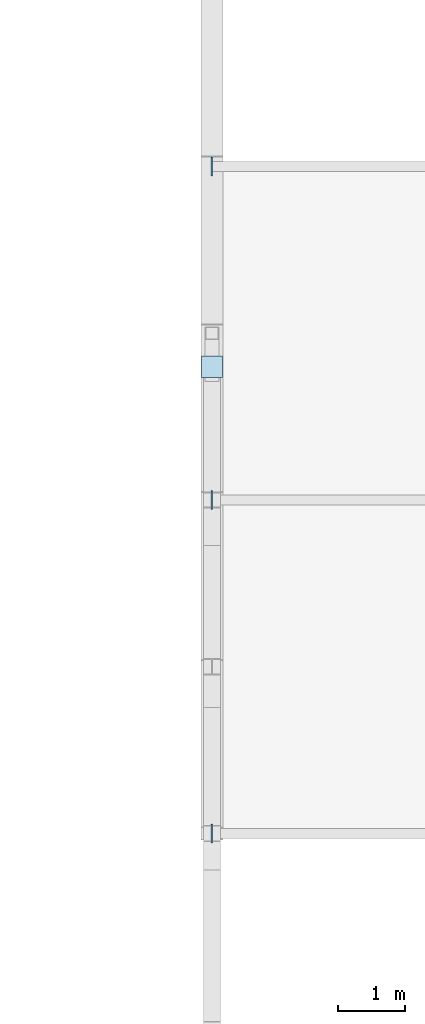
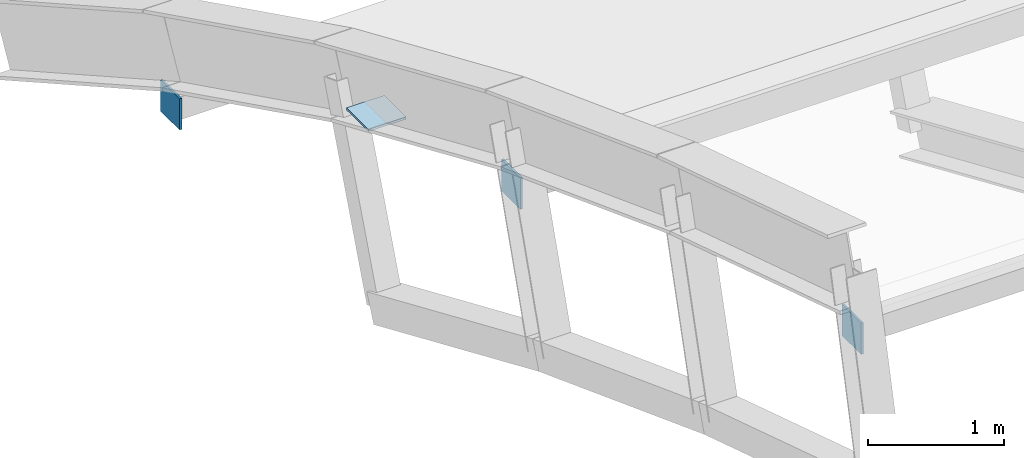
# One storey, part 81 of 103: 4 plates.
"""IFC4 building model written with IfcOpenShell, lengths in metres."""

from ifc_helpers import new_model, si_unit, direction, frame, origin, origin_2d, place, context, subcontext, project, spatial, rectangle, extrude, material, layer, layer_set, type_object, element, save


model = new_model("IFC4")

# Units and contexts
model_context = context("Model", 3, precision=1e-05, world=origin(), true_north=direction((0.0, 1.0)))
body_context = subcontext(model_context, "Body", "Model", "MODEL_VIEW")
ifc_project = project(units=[si_unit("LENGTHUNIT", "METRE"), si_unit("AREAUNIT", "SQUARE_METRE"), si_unit("VOLUMEUNIT", "CUBIC_METRE"), si_unit("PLANEANGLEUNIT", "RADIAN"), si_unit("MASSUNIT", "GRAM", prefix="KILO")], contexts=[model_context])

# Site, building, storey
site_placement = place(None, origin())
site = spatial("IfcSite", under=ifc_project, at=site_placement, CompositionType="ELEMENT")
building_placement = place(site_placement, origin())
building = spatial("IfcBuilding", under=site, at=building_placement, Name="Cazmaro Siding Exhibition Halls", CompositionType="ELEMENT")
storey_placement = place(building_placement, frame((0.0, 0.0, 16.5)))
storey = spatial("IfcBuildingStorey", under=building, at=storey_placement, Name="L03", CompositionType="ELEMENT", Elevation=16.5)

# Plates
ifc_material_1 = material(Name="Steel ASTM A572 Grade 50", Category="steel")
ifc_layer_1 = layer(ifc_material_1, 0.02001953125)
ifc_layer_set_1 = layer_set([ifc_layer_1], Name="Steel ASTM A572 Grade 50")
plate_type_1 = type_object("IfcPlateType", Name="CP-02", PredefinedType="SHEET", material=ifc_layer_set_1)
plate_placement = place(storey_placement, frame((45.0, 116.0, 1.989013671875), z_axis=(0.0, 0.0, 1.0), x_axis=(1.0, 0.0, 0.0)))
element("IfcPlate", 1, at=plate_placement, inside=storey, type_object=plate_type_1, Name="HSS column top end-cap plate CP-02", PredefinedType="SHEET", context=body_context, shape_type="SweptSolid", body=[
    extrude(rectangle(XDim=0.320068359375, YDim=0.320068359375, at=origin_2d()), origin(), (0.0, 0.0, 1.0), 0.02001953125),
])
ifc_material_2 = material(Name="Steel ASTM A572 Grade 50", Category="steel")
ifc_layer_2 = layer(ifc_material_2, 0.02001953125)
ifc_layer_set_2 = layer_set([ifc_layer_2], Name="Steel ASTM A572 Grade 50")
plate_type_2 = type_object("IfcPlateType", Name="CP-12", PredefinedType="SHEET", material=ifc_layer_set_2)
for number, where, z_axis, x_axis, name in (
    (2, (44.985107421875, 109.0, 4.31494140625), (1.0, 0.0, 0.0), (0.0, 1.0, 0.0), "HSS purlin end-cap plate CP-12"),
    (3, (44.985107421875, 114.0, 2.58203125), (1.0, 0.0, 0.0), (0.0, 1.0, 0.0), "HSS purlin end-cap plate CP-12"),
    (4, (44.985107421875, 119.0, 0.260986328125), (1.0, 0.0, 0.0), (0.0, 1.0, 0.0), "HSS purlin end-cap plate CP-12"),
):
    element("IfcPlate", number, at=place(storey_placement, frame(where, z_axis=z_axis, x_axis=x_axis)), inside=storey, type_object=plate_type_2, Name=name, PredefinedType="SHEET", context=body_context, shape_type="SweptSolid", body=[
        extrude(rectangle(XDim=0.280029296875, YDim=0.280029296875, at=origin_2d()), origin(), (0.0, 0.0, 1.0), 0.02001953125),
    ])

save(model, "model.ifc")
